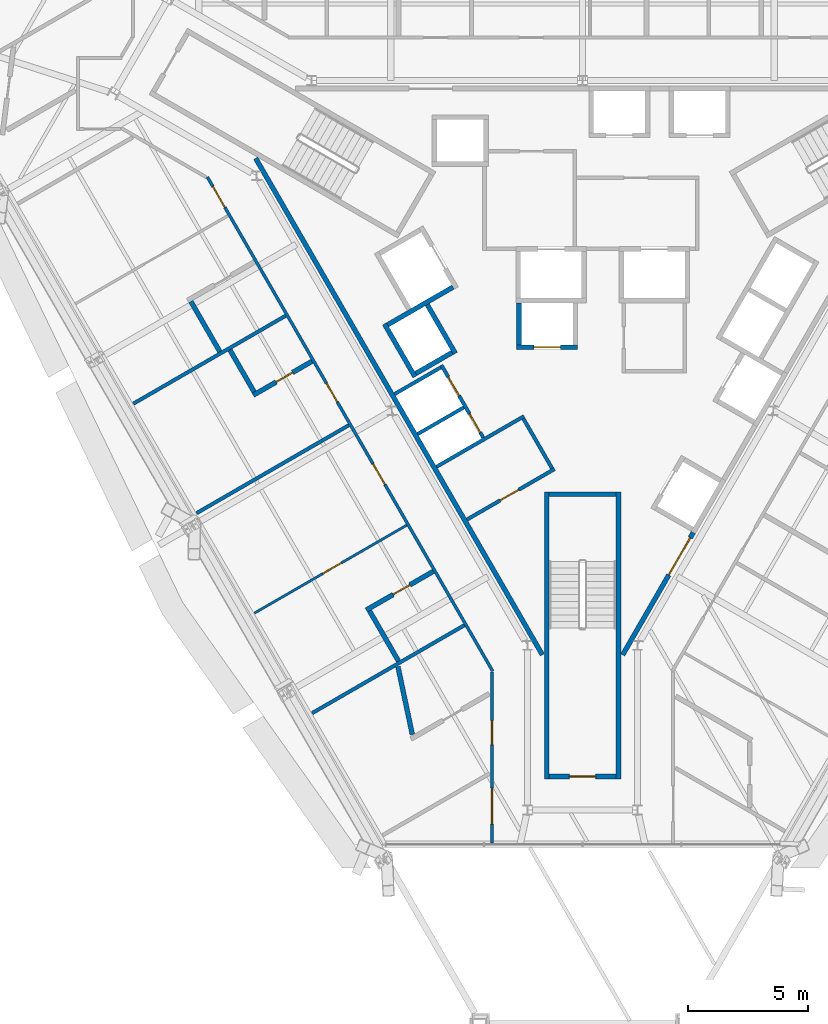
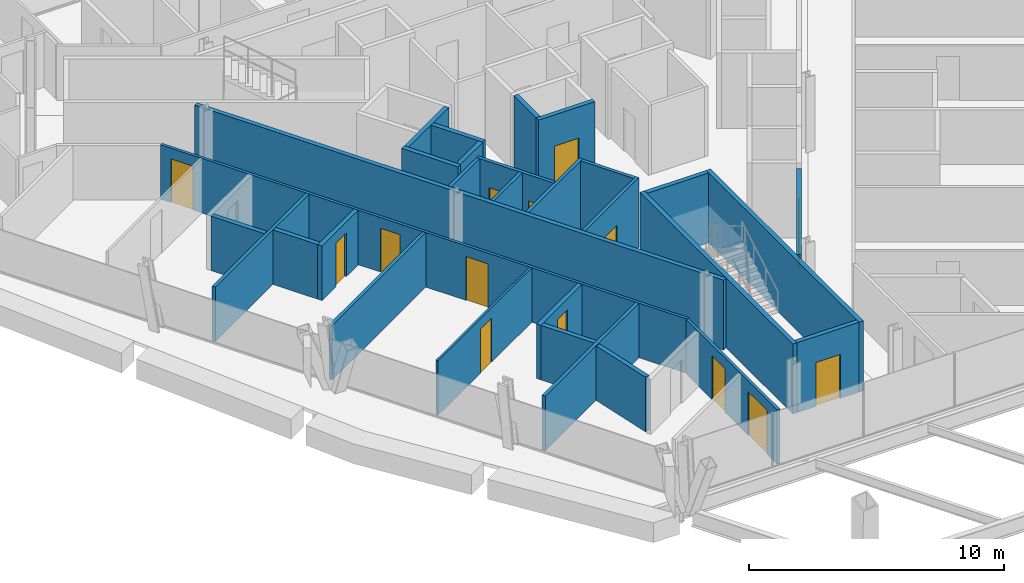
# One storey, part 9 of 15: 30 walls, 14 doors, 14 openings.
"""IFC4 building model written with IfcOpenShell, lengths in metres."""

from ifc_helpers import new_model, si_unit, direction, frame, frame_2d, origin, place, context, subcontext, project, spatial, rectangle, extrude, material, layer, layer_set, type_object, element, fill, save


model = new_model("IFC4")

# Units and contexts
model_context = context("Model", 3, precision=1e-05, world=origin(), true_north=direction((0.0, 1.0)))
body_context = subcontext(model_context, "Body", "Model", "MODEL_VIEW")
ifc_project = project(units=[si_unit("LENGTHUNIT", "METRE"), si_unit("AREAUNIT", "SQUARE_METRE"), si_unit("VOLUMEUNIT", "CUBIC_METRE"), si_unit("PLANEANGLEUNIT", "RADIAN"), si_unit("MASSUNIT", "GRAM", prefix="KILO")], contexts=[model_context])

# Site, building, storey
site_placement = place(None, origin())
site = spatial("IfcSite", under=ifc_project, at=site_placement, CompositionType="ELEMENT")
building_placement = place(site_placement, origin())
building = spatial("IfcBuilding", under=site, at=building_placement, Name="Verrane Prism Tower", CompositionType="ELEMENT")
storey_placement = place(building_placement, frame((0.0, 0.0, 118.0)))
storey = spatial("IfcBuildingStorey", under=building, at=storey_placement, Name="L28", CompositionType="ELEMENT", Elevation=118.0)

# Wall
ifc_material_1 = material(Name="Gypsum board partition", Category="other")
ifc_layer_1 = layer(ifc_material_1, 0.199951171875)
ifc_layer_set_1 = layer_set([ifc_layer_1], Name="CW-200 core boundary wall 2 h")
wall_type_1 = type_object("IfcWallType", Name="CW-200 core boundary wall 2 h", PredefinedType="PARTITIONING", material=ifc_layer_set_1)
wall_1_placement = place(storey_placement, frame((-13.66357421875, 5.946044921875, 0.0), z_axis=(0.0, 0.0, 1.0), x_axis=(0.499994327219, -0.866028678941, 0.0)))
element("IfcWall", 1, at=wall_1_placement, inside=storey, type_object=wall_type_1, Name="Core boundary wall CW3-001", PredefinedType="PARTITIONING", context=body_context, shape_type="SweptSolid", body=[
    extrude(rectangle(XDim=23.967529296875, YDim=0.199951171875, at=frame_2d((11.98388671875, 0.0))), origin(), (0.0, 0.0, 1.0), 3.35009765625),
])

# Wall, opening, door
wall_2_placement = place(storey_placement, frame((1.677490234375, -14.814697265625, 0.0), z_axis=(0.0, 0.0, 1.0), x_axis=(0.49999445743, 0.866028603765, 0.0)))
wall_2 = element("IfcWall", 2, at=wall_2_placement, inside=storey, type_object=wall_type_1, Name="Core boundary wall CW3-003", PredefinedType="PARTITIONING", context=body_context, shape_type="SweptSolid", body=[
    extrude(rectangle(XDim=5.90478515625, YDim=0.199951171875, at=frame_2d((2.952392578125, 0.0))), origin(), (0.0, 0.0, 1.0), 3.35009765625),
])
opening_1_placement = place(wall_2_placement, frame((3.85498046875, 0.0, 0.0)))
opening_1 = element("IfcOpeningElement", 3, at=opening_1_placement, cuts=wall_2, Name="Opening D27517", PredefinedType="OPENING", context=body_context, shape_type="SweptSolid", body=[
    extrude(rectangle(XDim=1.800048828125, YDim=2.10009765625, at=frame_2d((0.89990234375, 1.050048828125))), frame((0.0, 0.10986328125, 0.0), z_axis=(0.0, -1.0, 0.0), x_axis=(1.0, 0.0, 0.0)), (0.0, 0.0, 1.0), 0.219970703125),
])
ifc_material_2 = material(Name="Timber veneered door leaf", Category="wood")
door_type_1 = type_object("IfcDoorType", Name="DR-1800x2100 FD60 double leaf lift lobby", OperationType="NOTDEFINED", PredefinedType="DOOR", material=ifc_material_2)
door_1_placement = place(opening_1_placement, origin())
door_1 = element("IfcDoor", 4, at=door_1_placement, inside=storey, type_object=door_type_1, Name="Lift lobby door D27517", OperationType="DOUBLE_DOOR_SINGLE_SWING", OverallHeight=2.10009765625, OverallWidth=1.800048828125, PredefinedType="DOOR", context=body_context, shape_type="SweptSolid", body=[
    extrude(rectangle(XDim=1.800048828125, YDim=2.10009765625, at=frame_2d((0.89990234375, 1.050048828125))), frame((0.0, 0.02490234375, 0.0), z_axis=(0.0, -1.0, 0.0), x_axis=(1.0, 0.0, 0.0)), (0.0, 0.0, 1.0), 0.050048828125),
])
fill(opening_1, door_1)

ifc_material_3 = material(Name="Concrete C40/50", Category="concrete")
ifc_layer_2 = layer(ifc_material_3, 0.199951171875)
ifc_layer_set_2 = layer_set([ifc_layer_2], Name="CW-200 stair core wall concrete C40/50 3 h")
wall_type_2 = type_object("IfcWallType", Name="CW-200 stair core wall concrete C40/50 3 h", PredefinedType="PARTITIONING", material=ifc_layer_set_2)
wall_3_placement = place(storey_placement, frame((-1.39990234375, -19.89990234375, 0.0), z_axis=(0.0, 0.0, 1.0), x_axis=(1.0, 0.0, 0.0)))
wall_3 = element("IfcWall", 5, at=wall_3_placement, inside=storey, type_object=wall_type_2, Name="Stair 3 enclosure wall", PredefinedType="PARTITIONING", context=body_context, shape_type="SweptSolid", body=[
    extrude(rectangle(XDim=2.7998046875, YDim=0.199951171875, at=frame_2d((1.39990234375, 0.0))), origin(), (0.0, 0.0, 1.0), 3.35009765625),
])
opening_2_placement = place(wall_3_placement, frame((0.85009765625, 0.0, 0.0)))
opening_2 = element("IfcOpeningElement", 6, at=opening_2_placement, cuts=wall_3, Name="Opening D27502", PredefinedType="OPENING", context=body_context, shape_type="SweptSolid", body=[
    extrude(rectangle(XDim=1.10009765625, YDim=2.10009765625, at=frame_2d((0.550048828125, 1.050048828125))), frame((0.0, 0.10986328125, 0.0), z_axis=(0.0, -1.0, 0.0), x_axis=(1.0, 0.0, 0.0)), (0.0, 0.0, 1.0), 0.219970703125),
])
ifc_material_4 = material(Name="Timber veneered door leaf", Category="wood")
door_type_2 = type_object("IfcDoorType", Name="DR-1100x2100 FD90 single leaf stair", OperationType="NOTDEFINED", PredefinedType="DOOR", material=ifc_material_4)
door_2_placement = place(opening_2_placement, origin())
door_2 = element("IfcDoor", 7, at=door_2_placement, inside=storey, type_object=door_type_2, Name="Stair 3 door", OperationType="SINGLE_SWING_LEFT", OverallHeight=2.10009765625, OverallWidth=1.10009765625, PredefinedType="DOOR", context=body_context, shape_type="SweptSolid", body=[
    extrude(rectangle(XDim=1.10009765625, YDim=2.10009765625, at=frame_2d((0.550048828125, 1.050048828125))), frame((0.0, 0.02490234375, 0.0), z_axis=(0.0, -1.0, 0.0), x_axis=(1.0, 0.0, 0.0)), (0.0, 0.0, 1.0), 0.050048828125),
])
fill(opening_2, door_2)

# Walls
for number, where, z_axis, x_axis, name in (
    (8, (1.5, -8.0, 0.0), (0.0, 0.0, 1.0), (0.0, -1.0, 0.0), "Stair 3 enclosure wall"),
    (9, (-1.5, -8.0, 0.0), (0.0, 0.0, 1.0), (0.0, -1.0, 0.0), "Stair 3 enclosure wall"),
):
    element("IfcWall", number, at=place(storey_placement, frame(where, z_axis=z_axis, x_axis=x_axis)), inside=storey, type_object=wall_type_2, Name=name, PredefinedType="PARTITIONING", context=body_context, shape_type="SweptSolid", body=[
        extrude(rectangle(XDim=12.0, YDim=0.199951171875, at=frame_2d((6.0, 0.0))), origin(), (0.0, 0.0, 1.0), 3.35009765625),
    ])
wall_4_placement = place(storey_placement, frame((-1.39990234375, -8.10009765625, 0.0), z_axis=(0.0, 0.0, 1.0), x_axis=(1.0, 0.0, 0.0)))
element("IfcWall", 10, at=wall_4_placement, inside=storey, type_object=wall_type_2, Name="Stair 3 enclosure wall", PredefinedType="PARTITIONING", context=body_context, shape_type="SweptSolid", body=[
    extrude(rectangle(XDim=2.7998046875, YDim=0.199951171875, at=frame_2d((1.39990234375, 0.0))), origin(), (0.0, 0.0, 1.0), 3.35009765625),
])

# Wall, opening, door
ifc_material_5 = material(Name="Gypsum board shaft wall assembly", Category="other")
ifc_layer_3 = layer(ifc_material_5, 0.199951171875)
ifc_layer_set_3 = layer_set([ifc_layer_3], Name="HW-200 lift shaft wall 2 h")
wall_type_3 = type_object("IfcWallType", Name="HW-200 lift shaft wall 2 h", PredefinedType="PARTITIONING", material=ifc_layer_set_3)
wall_5_placement = place(storey_placement, frame((-2.7548828125, -1.949951171875, 0.0), z_axis=(0.0, 0.0, 1.0), x_axis=(1.0, 0.0, 0.0)))
wall_5 = element("IfcWall", 11, at=wall_5_placement, inside=storey, type_object=wall_type_3, Name="Lift shaft wall", PredefinedType="PARTITIONING", context=body_context, shape_type="SweptSolid", body=[
    extrude(rectangle(XDim=2.5498046875, YDim=0.199951171875, at=frame_2d((1.27490234375, 0.0))), origin(), (0.0, 0.0, 1.0), 3.60009765625),
])
opening_3_placement = place(wall_5_placement, frame((0.72509765625, 0.0, 0.0)))
opening_3 = element("IfcOpeningElement", 12, at=opening_3_placement, cuts=wall_5, Name="Opening D27504", PredefinedType="OPENING", context=body_context, shape_type="SweptSolid", body=[
    extrude(rectangle(XDim=1.10009765625, YDim=2.10009765625, at=frame_2d((0.550048828125, 1.050048828125))), frame((0.0, 0.10986328125, 0.0), z_axis=(0.0, -1.0, 0.0), x_axis=(1.0, 0.0, 0.0)), (0.0, 0.0, 1.0), 0.219970703125),
])
ifc_material_6 = material(Name="Stainless steel sliding landing door", Category="steel")
door_type_3 = type_object("IfcDoorType", Name="LD-1100x2100 lift landing door FD90 sliding", OperationType="NOTDEFINED", PredefinedType="DOOR", material=ifc_material_6)
door_3_placement = place(opening_3_placement, origin())
door_3 = element("IfcDoor", 13, at=door_3_placement, inside=storey, type_object=door_type_3, Name="Bank A lift 2 landing door", OperationType="SLIDING_TO_RIGHT", OverallHeight=2.10009765625, OverallWidth=1.10009765625, PredefinedType="DOOR", context=body_context, shape_type="SweptSolid", body=[
    extrude(rectangle(XDim=1.10009765625, YDim=2.10009765625, at=frame_2d((0.550048828125, 1.050048828125))), frame((0.0, 0.02490234375, 0.0), z_axis=(0.0, -1.0, 0.0), x_axis=(1.0, 0.0, 0.0)), (0.0, 0.0, 1.0), 0.050048828125),
])
fill(opening_3, door_3)

# Walls
wall_6_placement = place(storey_placement, frame((-6.9697265625, -3.048095703125, 0.0), z_axis=(0.0, 0.0, 1.0), x_axis=(0.866036909293, 0.499980071345, 0.0)))
element("IfcWall", 14, at=wall_6_placement, inside=storey, type_object=wall_type_3, Name="Lift shaft wall", PredefinedType="PARTITIONING", context=body_context, shape_type="SweptSolid", body=[
    extrude(rectangle(XDim=1.75, YDim=0.199951171875, at=frame_2d((0.875, 0.0))), origin(), (0.0, 0.0, 1.0), 3.60009765625),
])
wall_7_placement = place(storey_placement, frame((-8.14453125, -1.012939453125, 0.0), z_axis=(0.0, 0.0, 1.0), x_axis=(0.866016494683, 0.500015430699, 0.0)))
element("IfcWall", 15, at=wall_7_placement, inside=storey, type_object=wall_type_3, Name="Lift shaft wall", PredefinedType="PARTITIONING", context=body_context, shape_type="SweptSolid", body=[
    extrude(rectangle(XDim=3.14990234375, YDim=0.199951171875, at=frame_2d((1.574951171875, 0.0))), origin(), (0.0, 0.0, 1.0), 3.60009765625),
])
wall_8_placement = place(storey_placement, frame((-2.655029296875, -1.85009765625, 0.0), z_axis=(0.0, 0.0, 1.0), x_axis=(0.0, 1.0, 0.0)))
element("IfcWall", 16, at=wall_8_placement, inside=storey, type_object=wall_type_3, Name="Lift shaft wall", PredefinedType="PARTITIONING", context=body_context, shape_type="SweptSolid", body=[
    extrude(rectangle(XDim=1.75, YDim=0.199951171875, at=frame_2d((0.875, 0.0))), origin(), (0.0, 0.0, 1.0), 3.60009765625),
])
wall_9_placement = place(storey_placement, frame((-5.317626953125, -2.209716796875, 0.0), z_axis=(0.0, 0.0, 1.0), x_axis=(-0.499938297808, 0.866061024631, 0.0)))
element("IfcWall", 17, at=wall_9_placement, inside=storey, type_object=wall_type_3, Name="Lift shaft wall", PredefinedType="PARTITIONING", context=body_context, shape_type="SweptSolid", body=[
    extrude(rectangle(XDim=2.349853515625, YDim=0.199951171875, at=frame_2d((1.1748046875, 0.0))), origin(), (0.0, 0.0, 1.0), 3.60009765625),
])
wall_10_placement = place(storey_placement, frame((-7.00634765625, -3.184814453125, 0.0), z_axis=(0.0, 0.0, 1.0), x_axis=(-0.499990435942, 0.866030925526, 0.0)))
element("IfcWall", 18, at=wall_10_placement, inside=storey, type_object=wall_type_3, Name="Lift shaft wall", PredefinedType="PARTITIONING", context=body_context, shape_type="SweptSolid", body=[
    extrude(rectangle(XDim=2.5498046875, YDim=0.199951171875, at=frame_2d((1.27490234375, 0.0))), origin(), (0.0, 0.0, 1.0), 3.60009765625),
])

# Wall, opening, door
ifc_material_7 = material(Name="Gypsum board partition", Category="other")
ifc_layer_4 = layer(ifc_material_7, 0.10009765625)
ifc_layer_set_4 = layer_set([ifc_layer_4], Name="PW-100 room partition")
wall_type_4 = type_object("IfcWallType", Name="PW-100 room partition", PredefinedType="PARTITIONING", material=ifc_layer_set_4)
wall_11_placement = place(storey_placement, frame((-7.35107421875, -9.392333984375, 0.0), z_axis=(0.0, 0.0, 1.0), x_axis=(-0.8660606245, -0.499938990969, 0.0)))
wall_11 = element("IfcWall", 19, at=wall_11_placement, inside=storey, type_object=wall_type_4, Name="Room partition 023", PredefinedType="PARTITIONING", context=body_context, shape_type="SweptSolid", body=[
    extrude(rectangle(XDim=7.3525390625, YDim=0.10009765625, at=frame_2d((3.67626953125, 0.0))), origin(), (0.0, 0.0, 1.0), 2.613037109375),
])
opening_4_placement = place(wall_11_placement, frame((3.1484375, 0.0, 0.0)))
opening_4 = element("IfcOpeningElement", 20, at=opening_4_placement, cuts=wall_11, Name="Opening D27022", PredefinedType="OPENING", context=body_context, shape_type="SweptSolid", body=[
    extrude(rectangle(XDim=0.89990234375, YDim=2.10009765625, at=frame_2d((0.449951171875, 1.050048828125))), frame((0.0, 0.06005859375, 0.0), z_axis=(0.0, -1.0, 0.0), x_axis=(1.0, 0.0, 0.0)), (0.0, 0.0, 1.0), 0.1201171875),
])
ifc_material_8 = material(Name="Timber veneered door leaf", Category="wood")
door_type_4 = type_object("IfcDoorType", Name="DR-900x2100 single leaf inner", OperationType="NOTDEFINED", PredefinedType="DOOR", material=ifc_material_8)
door_4_placement = place(opening_4_placement, origin())
door_4 = element("IfcDoor", 21, at=door_4_placement, inside=storey, type_object=door_type_4, Name="Suite Living Room door", OperationType="SINGLE_SWING_LEFT", OverallHeight=2.10009765625, OverallWidth=0.89990234375, PredefinedType="DOOR", context=body_context, shape_type="SweptSolid", body=[
    extrude(rectangle(XDim=0.89990234375, YDim=2.10009765625, at=frame_2d((0.449951171875, 1.050048828125))), frame((0.0, 0.02490234375, 0.0), z_axis=(0.0, -1.0, 0.0), x_axis=(1.0, 0.0, 0.0)), (0.0, 0.0, 1.0), 0.050048828125),
])
fill(opening_4, door_4)

# Wall, openings, doors
ifc_material_9 = material(Name="Gypsum board partition", Category="other")
ifc_layer_5 = layer(ifc_material_9, 0.125)
ifc_layer_set_5 = layer_set([ifc_layer_5], Name="PW-125 corridor wall 1 h")
wall_type_5 = type_object("IfcWallType", Name="PW-125 corridor wall 1 h", PredefinedType="PARTITIONING", material=ifc_layer_set_5)
wall_12_placement = place(storey_placement, frame((-3.755859375, -15.494140625, 0.0), z_axis=(0.0, 0.0, 1.0), x_axis=(-0.500027787016, 0.866009360349, 0.0)))
wall_12 = element("IfcWall", 22, at=wall_12_placement, inside=storey, type_object=wall_type_5, Name="Corridor wall 019", PredefinedType="PARTITIONING", context=body_context, shape_type="SweptSolid", body=[
    extrude(rectangle(XDim=23.855712890625, YDim=0.125, at=frame_2d((11.927734375, 0.0))), origin(), (0.0, 0.0, 1.0), 2.613037109375),
])
opening_5_placement = place(wall_12_placement, frame((22.39306640625, 0.0, 0.0)))
opening_5 = element("IfcOpeningElement", 23, at=opening_5_placement, cuts=wall_12, Name="Opening D27016", PredefinedType="OPENING", context=body_context, shape_type="SweptSolid", body=[
    extrude(rectangle(XDim=1.0, YDim=2.10009765625, at=frame_2d((0.5, 1.050048828125))), frame((0.0, 0.072509765625, 0.0), z_axis=(0.0, -1.0, 0.0), x_axis=(1.0, 0.0, 0.0)), (0.0, 0.0, 1.0), 0.14501953125),
])
opening_6_placement = place(wall_12_placement, frame((12.99609375, 0.0, 0.0)))
opening_6 = element("IfcOpeningElement", 24, at=opening_6_placement, cuts=wall_12, Name="Opening D27019", PredefinedType="OPENING", context=body_context, shape_type="SweptSolid", body=[
    extrude(rectangle(XDim=0.89990234375, YDim=2.10009765625, at=frame_2d((0.449951171875, 1.050048828125))), frame((0.0, 0.072509765625, 0.0), z_axis=(0.0, -1.0, 0.0), x_axis=(1.0, 0.0, 0.0)), (0.0, 0.0, 1.0), 0.14501953125),
])
opening_7_placement = place(wall_12_placement, frame((9.01123046875, 0.0, 0.0)))
opening_7 = element("IfcOpeningElement", 25, at=opening_7_placement, cuts=wall_12, Name="Opening D27021", PredefinedType="OPENING", context=body_context, shape_type="SweptSolid", body=[
    extrude(rectangle(XDim=1.0, YDim=2.10009765625, at=frame_2d((0.5, 1.050048828125))), frame((0.0, 0.072509765625, 0.0), z_axis=(0.0, -1.0, 0.0), x_axis=(1.0, 0.0, 0.0)), (0.0, 0.0, 1.0), 0.14501953125),
])
ifc_material_10 = material(Name="Timber veneered door leaf", Category="wood")
door_type_5 = type_object("IfcDoorType", Name="DR-1000x2100 FD20 single leaf unit", OperationType="NOTDEFINED", PredefinedType="DOOR", material=ifc_material_10)
door_5_placement = place(opening_5_placement, origin())
door_5 = element("IfcDoor", 26, at=door_5_placement, inside=storey, type_object=door_type_5, Name="Suite Living Room door", OperationType="SINGLE_SWING_LEFT", OverallHeight=2.10009765625, OverallWidth=1.0, PredefinedType="DOOR", context=body_context, shape_type="SweptSolid", body=[
    extrude(rectangle(XDim=1.0, YDim=2.10009765625, at=frame_2d((0.5, 1.050048828125))), frame((0.0, 0.02490234375, 0.0), z_axis=(0.0, -1.0, 0.0), x_axis=(1.0, 0.0, 0.0)), (0.0, 0.0, 1.0), 0.050048828125),
])
fill(opening_5, door_5)
door_6_placement = place(opening_7_placement, origin())
door_6 = element("IfcDoor", 27, at=door_6_placement, inside=storey, type_object=door_type_5, Name="Suite Living Room door", OperationType="SINGLE_SWING_RIGHT", OverallHeight=2.10009765625, OverallWidth=1.0, PredefinedType="DOOR", context=body_context, shape_type="SweptSolid", body=[
    extrude(rectangle(XDim=1.0, YDim=2.10009765625, at=frame_2d((0.5, 1.050048828125))), frame((0.0, 0.02490234375, 0.0), z_axis=(0.0, -1.0, 0.0), x_axis=(1.0, 0.0, 0.0)), (0.0, 0.0, 1.0), 0.050048828125),
])
fill(opening_7, door_6)
ifc_material_11 = material(Name="Timber veneered door leaf", Category="wood")
door_type_6 = type_object("IfcDoorType", Name="DR-900x2100 FD20 single leaf unit", OperationType="NOTDEFINED", PredefinedType="DOOR", material=ifc_material_11)
door_7_placement = place(opening_6_placement, origin())
door_7 = element("IfcDoor", 28, at=door_7_placement, inside=storey, type_object=door_type_6, Name="Guest Room door", OperationType="SINGLE_SWING_RIGHT", OverallHeight=2.10009765625, OverallWidth=0.89990234375, PredefinedType="DOOR", context=body_context, shape_type="SweptSolid", body=[
    extrude(rectangle(XDim=0.89990234375, YDim=2.10009765625, at=frame_2d((0.449951171875, 1.050048828125))), frame((0.0, 0.02490234375, 0.0), z_axis=(0.0, -1.0, 0.0), x_axis=(1.0, 0.0, 0.0)), (0.0, 0.0, 1.0), 0.050048828125),
])
fill(opening_6, door_7)

wall_13_placement = place(storey_placement, frame((-3.787109375, -22.6728515625, 0.0), z_axis=(0.0, 0.0, 1.0), x_axis=(0.0, 1.0, 0.0)))
wall_13 = element("IfcWall", 29, at=wall_13_placement, inside=storey, type_object=wall_type_5, Name="Corridor wall 037", PredefinedType="PARTITIONING", context=body_context, shape_type="SweptSolid", body=[
    extrude(rectangle(XDim=7.14794921875, YDim=0.125, at=frame_2d((3.573974609375, 0.0))), origin(), (0.0, 0.0, 1.0), 2.613037109375),
])
opening_8_placement = place(wall_13_placement, frame((4.105712890625, 0.0, 0.0)))
opening_8 = element("IfcOpeningElement", 30, at=opening_8_placement, cuts=wall_13, Name="Opening D27024", PredefinedType="OPENING", context=body_context, shape_type="SweptSolid", body=[
    extrude(rectangle(XDim=1.0, YDim=2.10009765625, at=frame_2d((0.5, 1.050048828125))), frame((0.0, 0.072509765625, 0.0), z_axis=(0.0, -1.0, 0.0), x_axis=(1.0, 0.0, 0.0)), (0.0, 0.0, 1.0), 0.14501953125),
])
opening_9_placement = place(wall_13_placement, frame((0.784912109375, 0.0, 0.0)))
opening_9 = element("IfcOpeningElement", 31, at=opening_9_placement, cuts=wall_13, Name="Opening D27040", PredefinedType="OPENING", context=body_context, shape_type="SweptSolid", body=[
    extrude(rectangle(XDim=1.5, YDim=2.10009765625, at=frame_2d((0.75, 1.050048828125))), frame((0.0, 0.072509765625, 0.0), z_axis=(0.0, -1.0, 0.0), x_axis=(1.0, 0.0, 0.0)), (0.0, 0.0, 1.0), 0.14501953125),
])
door_8_placement = place(opening_8_placement, origin())
door_8 = element("IfcDoor", 32, at=door_8_placement, inside=storey, type_object=door_type_5, Name="Accessible Guest Room door", OperationType="SINGLE_SWING_RIGHT", OverallHeight=2.10009765625, OverallWidth=1.0, PredefinedType="DOOR", context=body_context, shape_type="SweptSolid", body=[
    extrude(rectangle(XDim=1.0, YDim=2.10009765625, at=frame_2d((0.5, 1.050048828125))), frame((0.0, 0.02490234375, 0.0), z_axis=(0.0, -1.0, 0.0), x_axis=(1.0, 0.0, 0.0)), (0.0, 0.0, 1.0), 0.050048828125),
])
fill(opening_8, door_8)
ifc_material_12 = material(Name="Timber veneered door leaf", Category="wood")
door_type_7 = type_object("IfcDoorType", Name="DR-1500x2100 FD20 double leaf public", OperationType="NOTDEFINED", PredefinedType="DOOR", material=ifc_material_12)
door_9_placement = place(opening_9_placement, origin())
door_9 = element("IfcDoor", 33, at=door_9_placement, inside=storey, type_object=door_type_7, Name="Sky Garden Lounge door", OperationType="DOUBLE_DOOR_SINGLE_SWING", OverallHeight=2.10009765625, OverallWidth=1.5, PredefinedType="DOOR", context=body_context, shape_type="SweptSolid", body=[
    extrude(rectangle(XDim=1.5, YDim=2.10009765625, at=frame_2d((0.75, 1.050048828125))), frame((0.0, 0.02490234375, 0.0), z_axis=(0.0, -1.0, 0.0), x_axis=(1.0, 0.0, 0.0)), (0.0, 0.0, 1.0), 0.050048828125),
])
fill(opening_9, door_9)

# Walls
ifc_material_13 = material(Name="Gypsum board partition", Category="other")
ifc_layer_6 = layer(ifc_material_13, 0.14990234375)
ifc_layer_set_6 = layer_set([ifc_layer_6], Name="PW-150 demising wall 1 h")
wall_type_6 = type_object("IfcWallType", Name="PW-150 demising wall 1 h", PredefinedType="PARTITIONING", material=ifc_layer_set_6)
wall_14_placement = place(storey_placement, frame((-18.775390625, -4.309814453125, 0.0), z_axis=(0.0, 0.0, 1.0), x_axis=(0.866003534372, 0.50003787702, 0.0)))
element("IfcWall", 34, at=wall_14_placement, inside=storey, type_object=wall_type_6, Name="Demising wall 013", PredefinedType="PARTITIONING", context=body_context, shape_type="SweptSolid", body=[
    extrude(rectangle(XDim=7.34765625, YDim=0.14990234375, at=frame_2d((3.673828125, 0.0))), origin(), (0.0, 0.0, 1.0), 2.613037109375),
])
wall_15_placement = place(storey_placement, frame((-16.1328125, -8.886962890625, 0.0), z_axis=(0.0, 0.0, 1.0), x_axis=(0.865997454095, 0.500048407157, 0.0)))
element("IfcWall", 35, at=wall_15_placement, inside=storey, type_object=wall_type_6, Name="Demising wall 016", PredefinedType="PARTITIONING", context=body_context, shape_type="SweptSolid", body=[
    extrude(rectangle(XDim=7.347900390625, YDim=0.14990234375, at=frame_2d((3.673828125, 0.0))), origin(), (0.0, 0.0, 1.0), 2.613037109375),
])
wall_16_placement = place(storey_placement, frame((-11.304443359375, -17.249755859375, 0.0), z_axis=(0.0, 0.0, 1.0), x_axis=(0.86600919026, 0.500028081597, 0.0)))
element("IfcWall", 36, at=wall_16_placement, inside=storey, type_object=wall_type_6, Name="Demising wall 027", PredefinedType="PARTITIONING", context=body_context, shape_type="SweptSolid", body=[
    extrude(rectangle(XDim=7.3525390625, YDim=0.14990234375, at=frame_2d((3.67626953125, 0.0))), origin(), (0.0, 0.0, 1.0), 2.613037109375),
])
ifc_material_14 = material(Name="Gypsum board partition", Category="other")
ifc_layer_7 = layer(ifc_material_14, 0.199951171875)
ifc_layer_set_7 = layer_set([ifc_layer_7], Name="PW-200 plumbing wall")
wall_type_7 = type_object("IfcWallType", Name="PW-200 plumbing wall", PredefinedType="PARTITIONING", material=ifc_layer_set_7)
wall_17_placement = place(storey_placement, frame((-16.375, -0.03662109375, 0.0), z_axis=(0.0, 0.0, 1.0), x_axis=(0.499928696113, -0.866066567189, 0.0)))
element("IfcWall", 37, at=wall_17_placement, inside=storey, type_object=wall_type_7, Name="Plumbing wall 014", PredefinedType="PARTITIONING", context=body_context, shape_type="SweptSolid", body=[
    extrude(rectangle(XDim=2.425048828125, YDim=0.199951171875, at=frame_2d((1.21240234375, 0.0))), origin(), (0.0, 0.0, 1.0), 2.613037109375),
])
wall_18_placement = place(storey_placement, frame((-14.739013671875, -2.0712890625, 0.0), z_axis=(0.0, 0.0, 1.0), x_axis=(0.500078207394, -0.865980246016, 0.0)))
element("IfcWall", 38, at=wall_18_placement, inside=storey, type_object=wall_type_7, Name="Plumbing wall 021", PredefinedType="PARTITIONING", context=body_context, shape_type="SweptSolid", body=[
    extrude(rectangle(XDim=2.019775390625, YDim=0.199951171875, at=frame_2d((1.009765625, 0.0))), origin(), (0.0, 0.0, 1.0), 2.613037109375),
])

# Wall, opening, door
wall_19_placement = place(storey_placement, frame((-13.765625, -3.95703125, 0.0), z_axis=(0.0, 0.0, 1.0), x_axis=(0.866033446572, 0.499986069224, 0.0)))
wall_19 = element("IfcWall", 39, at=wall_19_placement, inside=storey, type_object=wall_type_7, Name="Plumbing wall 022", PredefinedType="PARTITIONING", context=body_context, shape_type="SweptSolid", body=[
    extrude(rectangle(XDim=2.83251953125, YDim=0.199951171875, at=frame_2d((1.416259765625, 0.0))), origin(), (0.0, 0.0, 1.0), 2.613037109375),
])
opening_10_placement = place(wall_19_placement, frame((1.10009765625, 0.0, 0.0)))
opening_10 = element("IfcOpeningElement", 40, at=opening_10_placement, cuts=wall_19, Name="Opening D27020", PredefinedType="OPENING", context=body_context, shape_type="SweptSolid", body=[
    extrude(rectangle(XDim=0.800048828125, YDim=2.10009765625, at=frame_2d((0.39990234375, 1.050048828125))), frame((0.0, 0.10986328125, 0.0), z_axis=(0.0, -1.0, 0.0), x_axis=(1.0, 0.0, 0.0)), (0.0, 0.0, 1.0), 0.219970703125),
])
ifc_material_15 = material(Name="Timber veneered door leaf", Category="wood")
door_type_8 = type_object("IfcDoorType", Name="DR-800x2100 single leaf bath", OperationType="NOTDEFINED", PredefinedType="DOOR", material=ifc_material_15)
door_10_placement = place(opening_10_placement, origin())
door_10 = element("IfcDoor", 41, at=door_10_placement, inside=storey, type_object=door_type_8, Name="En-Suite door", OperationType="SINGLE_SWING_RIGHT", OverallHeight=2.10009765625, OverallWidth=0.800048828125, PredefinedType="DOOR", context=body_context, shape_type="SweptSolid", body=[
    extrude(rectangle(XDim=0.800048828125, YDim=2.10009765625, at=frame_2d((0.39990234375, 1.050048828125))), frame((0.0, 0.02490234375, 0.0), z_axis=(0.0, -1.0, 0.0), x_axis=(1.0, 0.0, 0.0)), (0.0, 0.0, 1.0), 0.050048828125),
])
fill(opening_10, door_10)

# Wall
wall_20_placement = place(storey_placement, frame((-8.904052734375, -12.9765625, 0.0), z_axis=(0.0, 0.0, 1.0), x_axis=(0.499960613912, -0.866048142159, 0.0)))
element("IfcWall", 42, at=wall_20_placement, inside=storey, type_object=wall_type_7, Name="Plumbing wall 030", PredefinedType="PARTITIONING", context=body_context, shape_type="SweptSolid", body=[
    extrude(rectangle(XDim=2.425537109375, YDim=0.199951171875, at=frame_2d((1.212890625, 0.0))), origin(), (0.0, 0.0, 1.0), 2.613037109375),
])

# Wall, opening, door
wall_21_placement = place(storey_placement, frame((-6.241455078125, -11.32373046875, 0.0), z_axis=(0.0, 0.0, 1.0), x_axis=(-0.866003189247, -0.500038474733, 0.0)))
wall_21 = element("IfcWall", 43, at=wall_21_placement, inside=storey, type_object=wall_type_7, Name="Plumbing wall 031", PredefinedType="PARTITIONING", context=body_context, shape_type="SweptSolid", body=[
    extrude(rectangle(XDim=3.232177734375, YDim=0.199951171875, at=frame_2d((1.6162109375, 0.0))), origin(), (0.0, 0.0, 1.0), 2.613037109375),
])
opening_11_placement = place(wall_21_placement, frame((1.13232421875, 0.0, 0.0)))
opening_11 = element("IfcOpeningElement", 44, at=opening_11_placement, cuts=wall_21, Name="Opening D27023", PredefinedType="OPENING", context=body_context, shape_type="SweptSolid", body=[
    extrude(rectangle(XDim=0.800048828125, YDim=2.10009765625, at=frame_2d((0.39990234375, 1.050048828125))), frame((0.0, 0.10986328125, 0.0), z_axis=(0.0, -1.0, 0.0), x_axis=(1.0, 0.0, 0.0)), (0.0, 0.0, 1.0), 0.219970703125),
])
door_11_placement = place(opening_11_placement, origin())
door_11 = element("IfcDoor", 45, at=door_11_placement, inside=storey, type_object=door_type_8, Name="En-Suite door", OperationType="SINGLE_SWING_RIGHT", OverallHeight=2.10009765625, OverallWidth=0.800048828125, PredefinedType="DOOR", context=body_context, shape_type="SweptSolid", body=[
    extrude(rectangle(XDim=0.800048828125, YDim=2.10009765625, at=frame_2d((0.39990234375, 1.050048828125))), frame((0.0, 0.02490234375, 0.0), z_axis=(0.0, -1.0, 0.0), x_axis=(1.0, 0.0, 0.0)), (0.0, 0.0, 1.0), 0.050048828125),
])
fill(opening_11, door_11)

# Walls
wall_22_placement = place(storey_placement, frame((-7.718017578125, -15.301025390625, 0.0), z_axis=(0.0, 0.0, 1.0), x_axis=(0.207306745071, -0.978275990428, 0.0)))
element("IfcWall", 46, at=wall_22_placement, inside=storey, type_object=wall_type_7, Name="Plumbing wall 033", PredefinedType="PARTITIONING", context=body_context, shape_type="SweptSolid", body=[
    extrude(rectangle(XDim=2.904052734375, YDim=0.199951171875, at=frame_2d((1.4521484375, 0.0))), origin(), (0.0, 0.0, 1.0), 2.613037109375),
])
ifc_material_16 = material(Name="Gypsum board partition", Category="other")
ifc_layer_8 = layer(ifc_material_16, 0.14990234375)
ifc_layer_set_8 = layer_set([ifc_layer_8], Name="RS-150 riser enclosure wall 1 h")
wall_type_8 = type_object("IfcWallType", Name="RS-150 riser enclosure wall 1 h", PredefinedType="PARTITIONING", material=ifc_layer_set_8)
wall_23_placement = place(storey_placement, frame((-7.8564453125, -3.912109375, 0.0), z_axis=(0.0, 0.0, 1.0), x_axis=(0.865971748, 0.500092923031, 0.0)))
element("IfcWall", 47, at=wall_23_placement, inside=storey, type_object=wall_type_8, Name="Riser wall RS3-001", PredefinedType="PARTITIONING", context=body_context, shape_type="SweptSolid", body=[
    extrude(rectangle(XDim=2.224609375, YDim=0.14990234375, at=frame_2d((1.1123046875, 0.0))), origin(), (0.0, 0.0, 1.0), 3.35009765625),
])
wall_24_placement = place(storey_placement, frame((-6.892333984375, -5.58203125, 0.0), z_axis=(0.0, 0.0, 1.0), x_axis=(0.865944298464, 0.500140452231, 0.0)))
element("IfcWall", 48, at=wall_24_placement, inside=storey, type_object=wall_type_8, Name="Riser wall RS3-002", PredefinedType="PARTITIONING", context=body_context, shape_type="SweptSolid", body=[
    extrude(rectangle(XDim=2.224365234375, YDim=0.14990234375, at=frame_2d((1.1123046875, 0.0))), origin(), (0.0, 0.0, 1.0), 3.35009765625),
])
wall_25_placement = place(storey_placement, frame((-6.10009765625, -6.945556640625, 0.0), z_axis=(0.0, 0.0, 1.0), x_axis=(0.866038200431, 0.499977834903, 0.0)))
element("IfcWall", 49, at=wall_25_placement, inside=storey, type_object=wall_type_8, Name="Riser wall RS3-003", PredefinedType="PARTITIONING", context=body_context, shape_type="SweptSolid", body=[
    extrude(rectangle(XDim=4.220458984375, YDim=0.14990234375, at=frame_2d((2.1103515625, 0.0))), origin(), (0.0, 0.0, 1.0), 3.35009765625),
])

# Wall, openings, doors
wall_26_placement = place(storey_placement, frame((-4.152099609375, -5.728759765625, 0.0), z_axis=(0.0, 0.0, 1.0), x_axis=(-0.500024287448, 0.866011380966, 0.0)))
wall_26 = element("IfcWall", 50, at=wall_26_placement, inside=storey, type_object=wall_type_8, Name="Riser wall RS3-004", PredefinedType="PARTITIONING", context=body_context, shape_type="SweptSolid", body=[
    extrude(rectangle(XDim=3.500732421875, YDim=0.14990234375, at=frame_2d((1.75048828125, 0.0))), origin(), (0.0, 0.0, 1.0), 3.35009765625),
])
opening_12_placement = place(wall_26_placement, frame((2.025634765625, 0.0, 0.0)))
opening_12 = element("IfcOpeningElement", 51, at=opening_12_placement, cuts=wall_26, Name="Opening D27512", PredefinedType="OPENING", context=body_context, shape_type="SweptSolid", body=[
    extrude(rectangle(XDim=0.89990234375, YDim=2.10009765625, at=frame_2d((0.449951171875, 1.050048828125))), frame((0.0, 0.0849609375, 0.0), z_axis=(0.0, -1.0, 0.0), x_axis=(1.0, 0.0, 0.0)), (0.0, 0.0, 1.0), 0.169921875),
])
opening_13_placement = place(wall_26_placement, frame((0.247802734375, 0.0, 0.0)))
opening_13 = element("IfcOpeningElement", 52, at=opening_13_placement, cuts=wall_26, Name="Opening D27513", PredefinedType="OPENING", context=body_context, shape_type="SweptSolid", body=[
    extrude(rectangle(XDim=0.89990234375, YDim=2.10009765625, at=frame_2d((0.449951171875, 1.050048828125))), frame((0.0, 0.0849609375, 0.0), z_axis=(0.0, -1.0, 0.0), x_axis=(1.0, 0.0, 0.0)), (0.0, 0.0, 1.0), 0.169921875),
])
ifc_material_17 = material(Name="Timber veneered door leaf", Category="wood")
door_type_9 = type_object("IfcDoorType", Name="DR-900x2100 FD60 single leaf riser", OperationType="NOTDEFINED", PredefinedType="DOOR", material=ifc_material_17)
door_12_placement = place(opening_12_placement, origin())
door_12 = element("IfcDoor", 53, at=door_12_placement, inside=storey, type_object=door_type_9, Name="Riser door D27512", OperationType="SINGLE_SWING_RIGHT", OverallHeight=2.10009765625, OverallWidth=0.89990234375, PredefinedType="DOOR", context=body_context, shape_type="SweptSolid", body=[
    extrude(rectangle(XDim=0.89990234375, YDim=2.10009765625, at=frame_2d((0.449951171875, 1.050048828125))), frame((0.0, 0.02490234375, 0.0), z_axis=(0.0, -1.0, 0.0), x_axis=(1.0, 0.0, 0.0)), (0.0, 0.0, 1.0), 0.050048828125),
])
fill(opening_12, door_12)
door_13_placement = place(opening_13_placement, origin())
door_13 = element("IfcDoor", 54, at=door_13_placement, inside=storey, type_object=door_type_9, Name="Riser door D27513", OperationType="SINGLE_SWING_LEFT", OverallHeight=2.10009765625, OverallWidth=0.89990234375, PredefinedType="DOOR", context=body_context, shape_type="SweptSolid", body=[
    extrude(rectangle(XDim=0.89990234375, YDim=2.10009765625, at=frame_2d((0.449951171875, 1.050048828125))), frame((0.0, 0.02490234375, 0.0), z_axis=(0.0, -1.0, 0.0), x_axis=(1.0, 0.0, 0.0)), (0.0, 0.0, 1.0), 0.050048828125),
])
fill(opening_13, door_13)

# Wall, opening, door
wall_27_placement = place(storey_placement, frame((-4.824951171875, -9.153564453125, 0.0), z_axis=(0.0, 0.0, 1.0), x_axis=(0.866023738697, 0.500002884005, 0.0)))
wall_27 = element("IfcWall", 55, at=wall_27_placement, inside=storey, type_object=wall_type_8, Name="Riser wall RS3-005", PredefinedType="PARTITIONING", context=body_context, shape_type="SweptSolid", body=[
    extrude(rectangle(XDim=4.22021484375, YDim=0.14990234375, at=frame_2d((2.110107421875, 0.0))), origin(), (0.0, 0.0, 1.0), 3.35009765625),
])
opening_14_placement = place(wall_27_placement, frame((1.594970703125, 0.0, 0.0)))
opening_14 = element("IfcOpeningElement", 56, at=opening_14_placement, cuts=wall_27, Name="Opening D27514", PredefinedType="OPENING", context=body_context, shape_type="SweptSolid", body=[
    extrude(rectangle(XDim=0.89990234375, YDim=2.10009765625, at=frame_2d((0.449951171875, 1.050048828125))), frame((0.0, 0.0849609375, 0.0), z_axis=(0.0, -1.0, 0.0), x_axis=(1.0, 0.0, 0.0)), (0.0, 0.0, 1.0), 0.169921875),
])
ifc_material_18 = material(Name="Timber veneered door leaf", Category="wood")
door_type_10 = type_object("IfcDoorType", Name="DR-900x2100 FD20 single leaf store", OperationType="NOTDEFINED", PredefinedType="DOOR", material=ifc_material_18)
door_14_placement = place(opening_14_placement, origin())
door_14 = element("IfcDoor", 57, at=door_14_placement, inside=storey, type_object=door_type_10, Name="Room door D27514", OperationType="SINGLE_SWING_LEFT", OverallHeight=2.10009765625, OverallWidth=0.89990234375, PredefinedType="DOOR", context=body_context, shape_type="SweptSolid", body=[
    extrude(rectangle(XDim=0.89990234375, YDim=2.10009765625, at=frame_2d((0.449951171875, 1.050048828125))), frame((0.0, 0.02490234375, 0.0), z_axis=(0.0, -1.0, 0.0), x_axis=(1.0, 0.0, 0.0)), (0.0, 0.0, 1.0), 0.050048828125),
])
fill(opening_14, door_14)

# Wall
wall_28_placement = place(storey_placement, frame((-2.472412109375, -4.93798828125, 0.0), z_axis=(0.0, 0.0, 1.0), x_axis=(0.500045362686, -0.865999212041, 0.0)))
element("IfcWall", 58, at=wall_28_placement, inside=storey, type_object=wall_type_8, Name="Riser wall RS3-006", PredefinedType="PARTITIONING", context=body_context, shape_type="SweptSolid", body=[
    extrude(rectangle(XDim=2.399658203125, YDim=0.14990234375, at=frame_2d((1.19970703125, 0.0))), origin(), (0.0, 0.0, 1.0), 3.35009765625),
])

save(model, "model.ifc")
